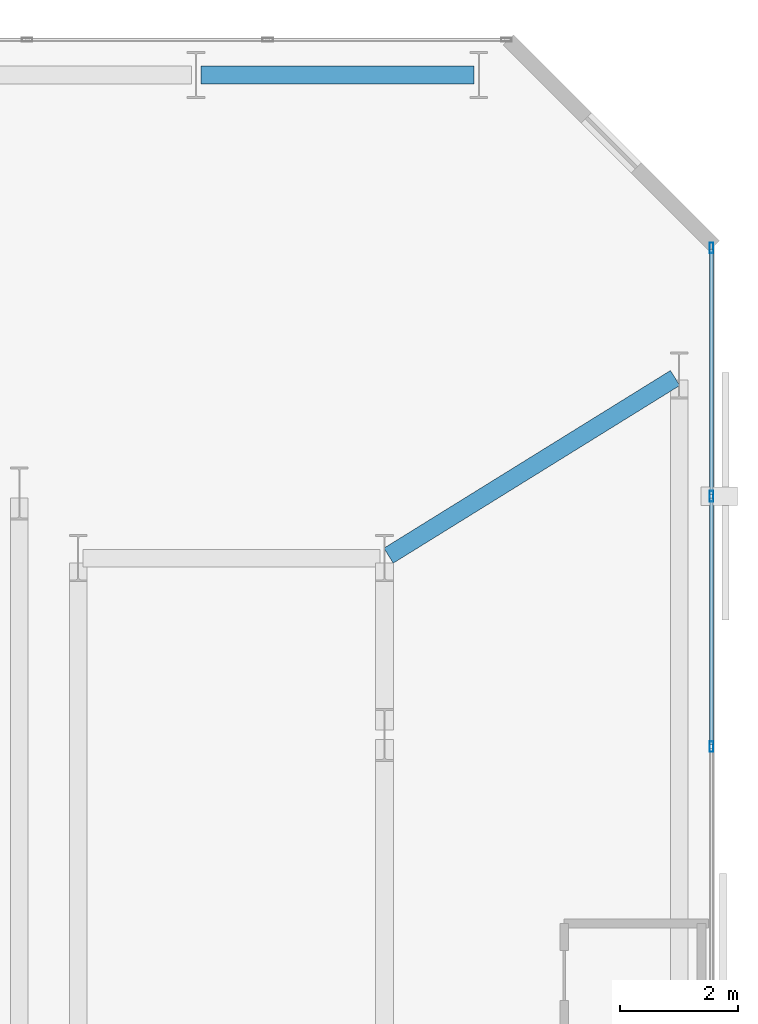
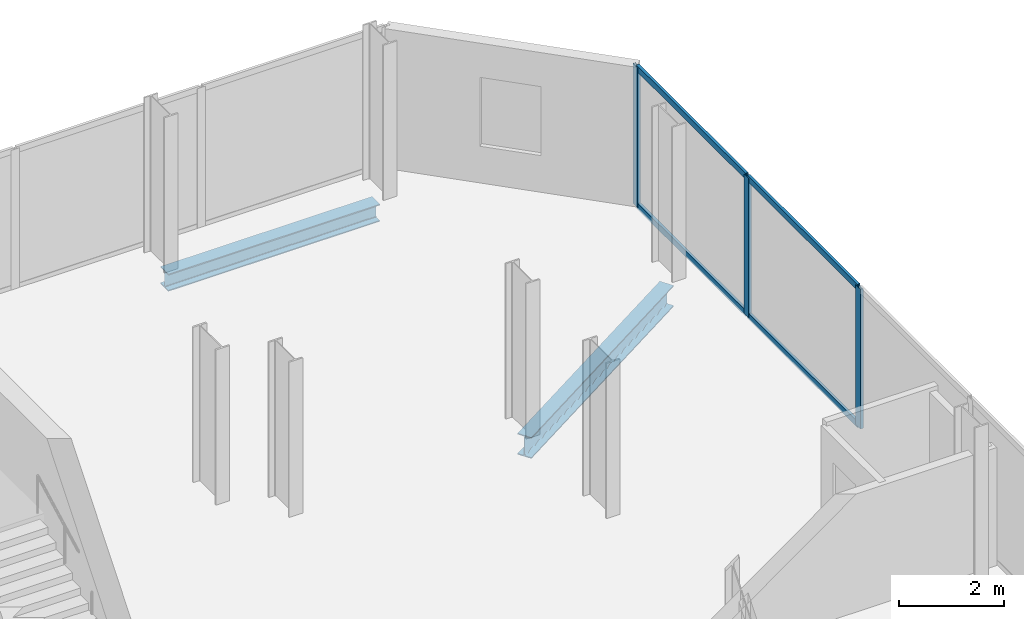
# One storey, part 25 of 33: 7 members, 2 beams, 1 element without a shape of its own.
"""IFC4 building model written with IfcOpenShell, lengths in metres."""

from ifc_helpers import new_model, si_unit, direction, frame, origin, origin_2d, place, context, subcontext, project, spatial, hollow_rectangle, i_section, extrude, material, layer, layer_set, material_profile, profile_set, type_object, element, aggregate, save


model = new_model("IFC4")

# Units and contexts
model_context = context("Model", 3, precision=1e-05, world=origin(), true_north=direction((0.0, 1.0)))
body_context = subcontext(model_context, "Body", "Model", "MODEL_VIEW")
ifc_project = project(units=[si_unit("LENGTHUNIT", "METRE"), si_unit("AREAUNIT", "SQUARE_METRE"), si_unit("VOLUMEUNIT", "CUBIC_METRE"), si_unit("PLANEANGLEUNIT", "RADIAN"), si_unit("MASSUNIT", "GRAM", prefix="KILO")], contexts=[model_context])

# Site, building, storey
site_placement = place(None, origin())
site = spatial("IfcSite", under=ifc_project, at=site_placement, CompositionType="ELEMENT")
building_placement = place(site_placement, origin())
building = spatial("IfcBuilding", under=site, at=building_placement, Name="Catumbela Crestline Tower", CompositionType="ELEMENT")
storey_placement = place(building_placement, frame((0.0, 0.0, 76.2)))
storey = spatial("IfcBuildingStorey", under=building, at=storey_placement, Name="L19", CompositionType="ELEMENT", Elevation=76.2)

# Beam
ifc_material_1 = material(Name="Structural steel S355J2", Category="steel")
ifc_material_profile_1 = material_profile(ifc_material_1, i_section(OverallWidth=0.3, OverallDepth=0.49, WebThickness=0.012, FlangeThickness=0.023, FilletRadius=0.027, at=origin_2d()), Name="HEA 500")
ifc_profile_set_1 = profile_set([ifc_material_profile_1], Name="Structural steel S355J2")
beam_type_1 = type_object("IfcBeamType", Name="BG-HEA500", PredefinedType="BEAM", material=ifc_profile_set_1)
beam_1_placement = place(storey_placement, frame((50.468, 39.2422, -0.505), z_axis=(0.849908952007, 0.526929571479, 0.0), x_axis=(-0.526929571479, 0.849908952007, 0.0)))
element("IfcBeam", 1, at=beam_1_placement, inside=storey, type_object=beam_type_1, Name="L19 Beam BM-L19-N18", PredefinedType="BEAM", context=body_context, shape_type="SweptSolid", body=[
    extrude(i_section(OverallWidth=0.3, OverallDepth=0.49, WebThickness=0.012, FlangeThickness=0.023, FilletRadius=0.027, at=origin_2d()), origin(), (0.0, 0.0, 1.0), 5.723),
])

# Curtain wall, members
ifc_material_2 = material(Name="Aluminium alloy AW-6060-T66", Category="aluminium")
ifc_layer = layer(ifc_material_2, 0.18, Name="Aluminium alloy AW-6060-T66")
ifc_layer_set = layer_set([ifc_layer], Name="Aluminium alloy AW-6060-T66")
curtain_wall_type = type_object("IfcCurtainWallType", Name="CWU-Z1", PredefinedType="USERDEFINED", material=ifc_layer_set)
curtain_wall_placement = place(storey_placement, origin())
curtain_wall = element("IfcCurtainWall", 2, at=curtain_wall_placement, inside=storey, type_object=curtain_wall_type, Name="L19 Unitised Curtain Wall CW-L19-E5S1", ObjectType="UNITISED", PredefinedType="USERDEFINED")
ifc_material_profile_2 = material_profile(ifc_material_2, hollow_rectangle(XDim=0.065, YDim=0.18, WallThickness=0.004, at=origin_2d()), Name="ALU 180x65x4")
ifc_profile_set_2 = profile_set([ifc_material_profile_2], Name="Aluminium alloy AW-6060-T66")
member_type_1 = type_object("IfcMemberType", Name="MUL-180X65", PredefinedType="MULLION", material=ifc_profile_set_2)
member_1_placement = place(storey_placement, frame((55.95, 36.0, 0.0), z_axis=(0.0, 0.0, 1.0), x_axis=(-1.0, 0.0, 0.0)))
member_1 = element("IfcMember", 3, at=member_1_placement, type_object=member_type_1, Name="CWU-Z1 mullion 3", PredefinedType="MULLION", context=body_context, shape_type="SweptSolid", body=[
    extrude(hollow_rectangle(XDim=0.065, YDim=0.18, WallThickness=0.004, at=origin_2d()), origin(), (0.0, 0.0, 1.0), 3.24),
])
member_2_placement = place(storey_placement, frame((55.95, 40.25, 0.0), z_axis=(0.0, 0.0, 1.0), x_axis=(-1.0, 0.0, 0.0)))
member_2 = element("IfcMember", 4, at=member_2_placement, type_object=member_type_1, Name="CWU-Z1 mullion 4", PredefinedType="MULLION", context=body_context, shape_type="SweptSolid", body=[
    extrude(hollow_rectangle(XDim=0.065, YDim=0.18, WallThickness=0.004, at=origin_2d()), origin(), (0.0, 0.0, 1.0), 3.24),
])
member_3_placement = place(storey_placement, frame((55.95, 44.4675, 0.0), z_axis=(0.0, 0.0, 1.0), x_axis=(-1.0, 0.0, 0.0)))
member_3 = element("IfcMember", 5, at=member_3_placement, type_object=member_type_1, Name="CWU-Z1 mullion 5", PredefinedType="MULLION", context=body_context, shape_type="SweptSolid", body=[
    extrude(hollow_rectangle(XDim=0.065, YDim=0.18, WallThickness=0.004, at=origin_2d()), origin(), (0.0, 0.0, 1.0), 3.24),
])

# Beam
ifc_material_profile_3 = material_profile(ifc_material_1, i_section(OverallWidth=0.3, OverallDepth=0.4, WebThickness=0.0135, FlangeThickness=0.024, FilletRadius=0.027, at=origin_2d()), Name="HEB 400")
ifc_profile_set_3 = profile_set([ifc_material_profile_3], Name="Structural steel S355J2")
beam_type_2 = type_object("IfcBeamType", Name="BS-HEB400", PredefinedType="SPANDREL", material=ifc_profile_set_3)
beam_2_placement = place(storey_placement, frame((47.28, 47.4, -0.46), z_axis=(1.0, 0.0, 0.0), x_axis=(0.0, 1.0, 0.0)))
element("IfcBeam", 6, at=beam_2_placement, inside=storey, type_object=beam_type_2, Name="L19 Spandrel SP-L19-NF24", PredefinedType="SPANDREL", context=body_context, shape_type="SweptSolid", body=[
    extrude(i_section(OverallWidth=0.3, OverallDepth=0.4, WebThickness=0.0135, FlangeThickness=0.024, FilletRadius=0.027, at=origin_2d()), origin(), (0.0, 0.0, 1.0), 4.64),
])

# Member
ifc_material_profile_4 = material_profile(ifc_material_2, hollow_rectangle(XDim=0.06, YDim=0.14, WallThickness=0.004, at=origin_2d()), Name="ALU 140x60x4")
ifc_profile_set_4 = profile_set([ifc_material_profile_4], Name="Aluminium alloy AW-6060-T66")
member_type_2 = type_object("IfcMemberType", Name="TRN-140X60", PredefinedType="USERDEFINED", material=ifc_profile_set_4)
member_4_placement = place(storey_placement, frame((55.95, 36.0325, 0.03), z_axis=(0.0, 1.0, 0.0), x_axis=(-1.0, 0.0, 0.0)))
member_4 = element("IfcMember", 7, at=member_4_placement, type_object=member_type_2, Name="CWU-Z1 transom 3.1", ObjectType="TRANSOM", PredefinedType="USERDEFINED", context=body_context, shape_type="SweptSolid", body=[
    extrude(hollow_rectangle(XDim=0.06, YDim=0.14, WallThickness=0.004, at=origin_2d()), origin(), (0.0, 0.0, 1.0), 4.185),
])

member_5_placement = place(storey_placement, frame((55.95, 36.0325, 3.21), z_axis=(0.0, 1.0, 0.0), x_axis=(-1.0, 0.0, 0.0)))
member_5 = element("IfcMember", 8, at=member_5_placement, type_object=member_type_2, Name="CWU-Z1 transom 3.2", ObjectType="TRANSOM", PredefinedType="USERDEFINED", context=body_context, shape_type="SweptSolid", body=[
    extrude(hollow_rectangle(XDim=0.06, YDim=0.14, WallThickness=0.004, at=origin_2d()), origin(), (0.0, 0.0, 1.0), 4.185),
])

member_6_placement = place(storey_placement, frame((55.95, 40.2825, 0.03), z_axis=(0.0, 1.0, 0.0), x_axis=(-1.0, 0.0, 0.0)))
member_6 = element("IfcMember", 9, at=member_6_placement, type_object=member_type_2, Name="CWU-Z1 transom 4.1", ObjectType="TRANSOM", PredefinedType="USERDEFINED", context=body_context, shape_type="SweptSolid", body=[
    extrude(hollow_rectangle(XDim=0.06, YDim=0.14, WallThickness=0.004, at=origin_2d()), origin(), (0.0, 0.0, 1.0), 4.1525),
])

member_7_placement = place(storey_placement, frame((55.95, 40.2825, 3.21), z_axis=(0.0, 1.0, 0.0), x_axis=(-1.0, 0.0, 0.0)))
member_7 = element("IfcMember", 10, at=member_7_placement, type_object=member_type_2, Name="CWU-Z1 transom 4.2", ObjectType="TRANSOM", PredefinedType="USERDEFINED", context=body_context, shape_type="SweptSolid", body=[
    extrude(hollow_rectangle(XDim=0.06, YDim=0.14, WallThickness=0.004, at=origin_2d()), origin(), (0.0, 0.0, 1.0), 4.1525),
])

aggregate(curtain_wall, [member_1, member_2, member_3, member_4, member_5, member_6, member_7])

save(model, "model.ifc")
